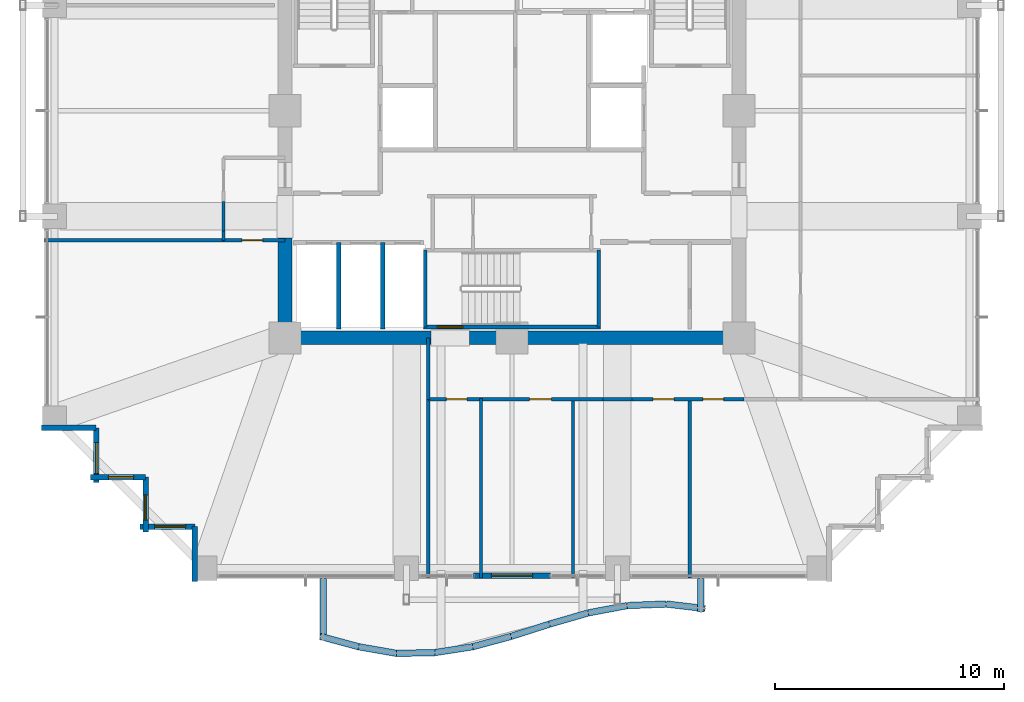
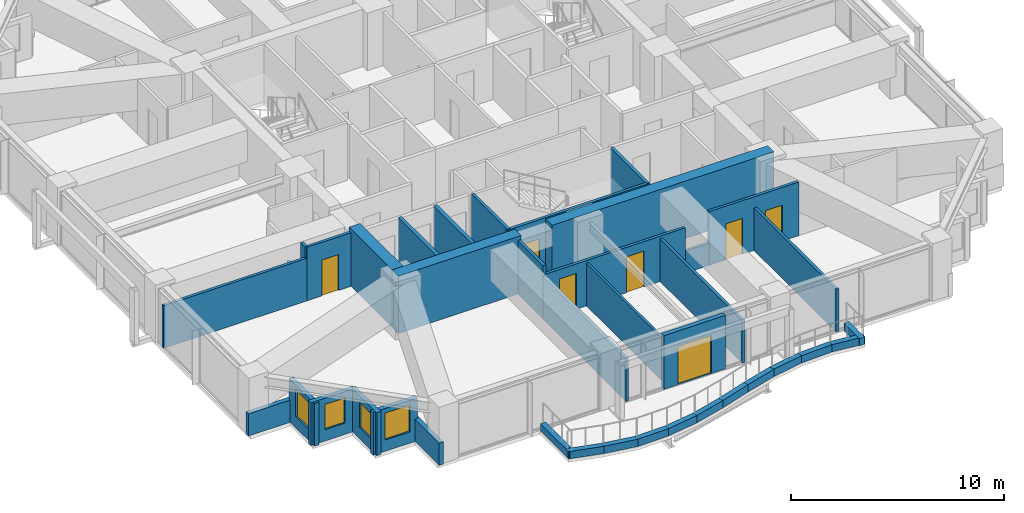
# One storey, part 33 of 39: 39 walls, 7 doors, 4 windows, 11 openings.
"""IFC4 building model written with IfcOpenShell, lengths in metres."""

import ifcopenshell
import ifcopenshell.guid

model = None  # the IFC model being written
_history = None  # IfcOwnerHistory: only IFC2X3 demands one
_inside = {}  # id of a spatial element -> (the spatial element, [elements in it])
_under = {}  # id of a project, library or spatial element -> (it, [spatial elements below it])
_declared = {}  # id of a project -> (the project, [libraries it declares])
_typed = {}  # id of a type object -> (the type object, [elements of that type])
_made_of = {}  # id of a material, layer set ... -> (it, [elements and type objects made of it])


def new_model(schema):
    """Start an empty IFC model of exactly this schema.

    Asked for "IFC4X3", IfcOpenShell would pick the latest addendum, in which some entities
    have other attributes; the version numbers below select the first issue.
    IFC2X3 requires an IfcOwnerHistory on every rooted entity: one is made here for all.
    """
    global model, _history
    if schema == "IFC4X3":
        model = ifcopenshell.file(schema_version=(4, 3, 0, 0))
    else:
        model = ifcopenshell.file(schema=schema)
    _inside.clear()
    _under.clear()
    _declared.clear()
    _typed.clear()
    _made_of.clear()
    _history = None
    if model.schema == "IFC2X3":
        org = make("IfcOrganization", Name="unknown")
        user = make(
            "IfcPersonAndOrganization",
            ThePerson=make("IfcPerson", FamilyName="unknown"),
            TheOrganization=org,
        )
        app = make(
            "IfcApplication",
            ApplicationDeveloper=org,
            Version="unknown",
            ApplicationFullName="unknown",
            ApplicationIdentifier="unknown",
        )
        _history = make(
            "IfcOwnerHistory",
            OwningUser=user,
            OwningApplication=app,
            ChangeAction="ADDED",
            CreationDate=0,
        )
    return model


def make(cls, **values):
    """One entity of the class cls with the attributes given. An attribute that is None is left unset."""
    return model.create_entity(
        cls, **{name: value for name, value in values.items() if value is not None}
    )


def rooted(cls, **values):
    """An entity with a GlobalId (a new one), such as an element, a storey or a relation."""
    return make(cls, GlobalId=ifcopenshell.guid.new(), OwnerHistory=_history, **values)


def si_unit(unit_type, name, prefix=None):
    """IfcSIUnit, for example si_unit("LENGTHUNIT", "METRE", prefix="MILLI")."""
    return make("IfcSIUnit", UnitType=unit_type, Prefix=prefix, Name=name)


def assignment(units):
    """IfcUnitAssignment: the units of a project."""
    return None if units is None else make("IfcUnitAssignment", Units=units)


def point(xyz):
    """IfcCartesianPoint."""
    return None if xyz is None else make("IfcCartesianPoint", Coordinates=xyz)


def direction(xyz):
    """IfcDirection."""
    return None if xyz is None else make("IfcDirection", DirectionRatios=xyz)


def frame(location, z_axis=None, x_axis=None):
    """IfcAxis2Placement3D, a coordinate frame: its origin and axes. An axis left out is left unset."""
    return make(
        "IfcAxis2Placement3D",
        Location=point(location),
        Axis=direction(z_axis),
        RefDirection=direction(x_axis),
    )


def frame_2d(location, x_axis=None):
    """IfcAxis2Placement2D, a coordinate frame in the plane: its origin and x axis."""
    return make(
        "IfcAxis2Placement2D", Location=point(location), RefDirection=direction(x_axis)
    )


def origin():
    """The frame at (0, 0, 0) with its axes left unset."""
    return frame((0.0, 0.0, 0.0))


def place(relative_to, where):
    """IfcLocalPlacement: puts the frame where relative to a parent placement (None: the world)."""
    return make(
        "IfcLocalPlacement", PlacementRelTo=relative_to, RelativePlacement=where
    )


def context(
    kind, dimensions, precision=None, world=None, true_north=None, identifier=None
):
    """IfcGeometricRepresentationContext, for example the 3D "Model" context."""
    return make(
        "IfcGeometricRepresentationContext",
        ContextIdentifier=identifier,
        ContextType=kind,
        CoordinateSpaceDimension=dimensions,
        Precision=precision,
        WorldCoordinateSystem=world,
        TrueNorth=true_north,
    )


def subcontext(parent, identifier, kind, view, scale=None):
    """IfcGeometricRepresentationSubContext, for example "Body" below "Model"."""
    return make(
        "IfcGeometricRepresentationSubContext",
        ContextIdentifier=identifier,
        ContextType=kind,
        ParentContext=parent,
        TargetScale=scale,
        TargetView=view,
    )


def project(units=None, contexts=None):
    """IfcProject with its units and contexts."""
    return rooted(
        "IfcProject",
        Name="project",
        RepresentationContexts=contexts,
        UnitsInContext=assignment(units),
    )


def spatial(cls, under=None, at=None, **own):
    """A site, building, storey or space (cls), placed at a placement, below another one or the project."""
    s = rooted(cls, ObjectPlacement=at, **own)
    if under is not None:
        _under.setdefault(under.id(), (under, []))[1].append(s)
    return s


def profile(cls, at=None, kind="AREA", **sizes):
    """A parametric profile (cls). Its sizes go by their IFC names, for example OverallWidth=200.0."""
    return make(cls, ProfileType=kind, Position=at, **sizes)


def rectangle(**sizes):
    """IfcRectangleProfileDef."""
    return profile("IfcRectangleProfileDef", **sizes)


def extrude(swept, where, along, depth):
    """IfcExtrudedAreaSolid: the profile swept, set in the frame where, extruded along a direction by depth."""
    return make(
        "IfcExtrudedAreaSolid",
        SweptArea=swept,
        Position=where,
        ExtrudedDirection=direction(along),
        Depth=depth,
    )


def shape(context_of_items, identifier, shape_type, items):
    """IfcShapeRepresentation: the items that make up one representation, for example the "Body"."""
    return make(
        "IfcShapeRepresentation",
        ContextOfItems=context_of_items,
        RepresentationIdentifier=identifier,
        RepresentationType=shape_type,
        Items=items,
    )


def material(Name=None, Category=None):
    """IfcMaterial."""
    return make("IfcMaterial", Name=Name, Category=Category)


def layer(
    of_material, thickness, ventilated=None, Name=None, Category=None, Priority=None
):
    """IfcMaterialLayer: one layer of a wall or slab, of a material (None: an air gap)."""
    return make(
        "IfcMaterialLayer",
        Material=of_material,
        LayerThickness=thickness,
        IsVentilated=ventilated,
        Name=Name,
        Category=Category,
        Priority=Priority,
    )


def layer_set(layers, Name=None):
    """IfcMaterialLayerSet."""
    return make("IfcMaterialLayerSet", MaterialLayers=layers, LayerSetName=Name)


def made_of(thing, what):
    """Note that an element or type object is made of a material, layer set ...; save() writes the relation."""
    if what is not None:
        _made_of.setdefault(what.id(), (what, []))[1].append(thing)
    return thing


def type_object(cls, material=None, **own):
    """A type object (cls), such as IfcWallType, which elements share."""
    return made_of(rooted(cls, **own), material)


def element(
    cls,
    number,
    at=None,
    inside=None,
    cuts=None,
    type_object=None,
    material=None,
    context=None,
    identifier="Body",
    shape_type=None,
    held_by="IfcProductDefinitionShape",
    body=None,
    shapes=None,
    **own,
):
    """One element of the class cls, such as IfcWall. Its Tag is "e" and its number.

    at: its placement. inside: the storey or other place that contains it. cuts: it is an
    opening in that element (IfcRelVoidsElement). A single representation is given by context,
    identifier, shape_type and body (its items); several are given by shapes. held_by: the class
    of the entity that holds the representations. save() writes the other relations.
    """
    e = rooted(cls, Tag="e%d" % number, ObjectPlacement=at, **own)
    if body is not None:
        shapes = [shape(context, identifier, shape_type, body)]
    if shapes is not None:
        e.Representation = make(held_by, Representations=shapes)
    if inside is not None:
        _inside.setdefault(inside.id(), (inside, []))[1].append(e)
    if cuts is not None:
        rooted(
            "IfcRelVoidsElement", RelatingBuildingElement=cuts, RelatedOpeningElement=e
        )
    if type_object is not None:
        _typed.setdefault(type_object.id(), (type_object, []))[1].append(e)
    return made_of(e, material)


def fill(opening, filler):
    """IfcRelFillsElement: the door or window that sits in an opening."""
    return rooted(
        "IfcRelFillsElement",
        RelatingOpeningElement=opening,
        RelatedBuildingElement=filler,
    )


def aggregate(whole, parts):
    """IfcRelAggregates: a whole, such as a stair, and the parts it consists of."""
    return rooted("IfcRelAggregates", RelatingObject=whole, RelatedObjects=parts)


def save(model, path):
    """Write the relations noted so far, then the file.

    IfcRelAggregates (storeys below a building ...), IfcRelContainedInSpatialStructure (elements
    in a storey), IfcRelDefinesByType, IfcRelAssociatesMaterial and IfcRelDeclares: one each for
    every whole, place, type object, material and project.
    """
    for whole, parts in _under.values():
        aggregate(whole, parts)
    for where, things in _inside.values():
        rooted(
            "IfcRelContainedInSpatialStructure",
            RelatedElements=things,
            RelatingStructure=where,
        )
    for kind, things in _typed.values():
        rooted("IfcRelDefinesByType", RelatedObjects=things, RelatingType=kind)
    for what, things in _made_of.values():
        rooted("IfcRelAssociatesMaterial", RelatedObjects=things, RelatingMaterial=what)
    for by, libraries in _declared.values():
        rooted("IfcRelDeclares", RelatingContext=by, RelatedDefinitions=libraries)
    model.write(path)


model = new_model("IFC4")

# Units and contexts
model_context = context("Model", 3, precision=1e-05, world=origin(), true_north=direction((0.0, 1.0)))
body_context = subcontext(model_context, "Body", "Model", "MODEL_VIEW")
ifc_project = project(units=[si_unit("LENGTHUNIT", "METRE"), si_unit("AREAUNIT", "SQUARE_METRE"), si_unit("VOLUMEUNIT", "CUBIC_METRE"), si_unit("PLANEANGLEUNIT", "RADIAN"), si_unit("MASSUNIT", "GRAM", prefix="KILO")], contexts=[model_context])

# Site, building, storey
site_placement = place(None, origin())
site = spatial("IfcSite", under=ifc_project, at=site_placement, CompositionType="ELEMENT")
building_placement = place(site_placement, origin())
building = spatial("IfcBuilding", under=site, at=building_placement, Name="Kolvaren Belvedere", CompositionType="ELEMENT")
storey_placement = place(building_placement, frame((0.0, 0.0, 85.39990234375)))
storey = spatial("IfcBuildingStorey", under=building, at=storey_placement, Name="L24", CompositionType="ELEMENT", Elevation=85.39990234375)

# Walls
ifc_material_1 = material(Name="Concrete C60/75", Category="concrete")
ifc_layer_1 = layer(ifc_material_1, 0.60009765625)
ifc_layer_set_1 = layer_set([ifc_layer_1], Name="Concrete C60/75")
wall_type_1 = type_object("IfcWallType", Name="CW-CORE-600", PredefinedType="SHEAR", material=ifc_layer_set_1)
wall_1_placement = place(storey_placement, frame((10.199951171875, -9.89990234375, 0.0), z_axis=(0.0, 0.0, 1.0), x_axis=(-1.0, 0.0, 0.0)))
element("IfcWall", 1, at=wall_1_placement, inside=storey, type_object=wall_type_1, Name="L24 South Core Shear Wall 1", PredefinedType="SHEAR", context=body_context, shape_type="SweptSolid", body=[
    extrude(rectangle(XDim=12.06005859375, YDim=0.60009765625, at=frame_2d((6.030029296875, 0.0))), origin(), (0.0, 0.0, 1.0), 3.300048828125),
])
wall_2_placement = place(storey_placement, frame((-3.5400390625, -9.89990234375, 0.0), z_axis=(0.0, 0.0, 1.0), x_axis=(-1.0, 0.0, 0.0)))
element("IfcWall", 2, at=wall_2_placement, inside=storey, type_object=wall_type_1, Name="L24 South Core Shear Wall 2", PredefinedType="SHEAR", context=body_context, shape_type="SweptSolid", body=[
    extrude(rectangle(XDim=6.659912109375, YDim=0.60009765625, at=frame_2d((3.330078125, 0.0))), origin(), (0.0, 0.0, 1.0), 3.300048828125),
])
wall_3_placement = place(storey_placement, frame((-9.89990234375, -9.60009765625, 0.0), z_axis=(0.0, 0.0, 1.0), x_axis=(0.0, 1.0, 0.0)))
element("IfcWall", 3, at=wall_3_placement, inside=storey, type_object=wall_type_1, Name="L24 West Core Shear Wall 1", PredefinedType="SHEAR", context=body_context, shape_type="SweptSolid", body=[
    extrude(rectangle(XDim=4.050048828125, YDim=0.60009765625, at=frame_2d((2.02490234375, 0.0))), origin(), (0.0, 0.0, 1.0), 3.300048828125),
])

# Wall, opening, door
ifc_material_2 = material(Name="Concrete C50/60", Category="concrete")
ifc_layer_2 = layer(ifc_material_2, 0.159912109375)
ifc_layer_set_2 = layer_set([ifc_layer_2], Name="Concrete C50/60")
wall_type_2 = type_object("IfcWallType", Name="CW-STAIR-160", PredefinedType="SHEAR", material=ifc_layer_set_2)
wall_4_placement = place(storey_placement, frame((3.860107421875, -9.429931640625, 0.0), z_axis=(0.0, 0.0, 1.0), x_axis=(-1.0, 0.0, 0.0)))
wall_4 = element("IfcWall", 4, at=wall_4_placement, inside=storey, type_object=wall_type_2, Name="L24 Stair ST-3 South Shear Wall", PredefinedType="SHEAR", context=body_context, shape_type="SweptSolid", body=[
    extrude(rectangle(XDim=7.72021484375, YDim=0.159912109375, at=frame_2d((3.860107421875, 0.0))), origin(), (0.0, 0.0, 1.0), 3.300048828125),
])
opening_1_placement = place(wall_4_placement, frame((6.010009765625, 0.0, 0.0)))
opening_1 = element("IfcOpeningElement", 5, at=opening_1_placement, cuts=wall_4, Name="Opening D-FD90", PredefinedType="OPENING", context=body_context, shape_type="SweptSolid", body=[
    extrude(rectangle(XDim=1.10009765625, YDim=2.199951171875, at=frame_2d((0.550048828125, 1.10009765625))), frame((0.0, 0.08984375, 0.0), z_axis=(0.0, -1.0, 0.0), x_axis=(1.0, 0.0, 0.0)), (0.0, 0.0, 1.0), 0.179931640625),
])
ifc_material_3 = material(Name="Painted hollow stainless steel", Category="steel")
door_type_1 = type_object("IfcDoorType", Name="DR-FD90-1100", OperationType="NOTDEFINED", PredefinedType="DOOR", material=ifc_material_3)
door_1_placement = place(opening_1_placement, origin())
door_1 = element("IfcDoor", 6, at=door_1_placement, inside=storey, type_object=door_type_1, Name="L24 Stair ST-3 Exit Door", OperationType="SINGLE_SWING_RIGHT", OverallHeight=2.199951171875, OverallWidth=1.10009765625, PredefinedType="DOOR", context=body_context, shape_type="SweptSolid", body=[
    extrude(rectangle(XDim=1.10009765625, YDim=2.199951171875, at=frame_2d((0.550048828125, 1.10009765625))), frame((0.0, 0.02490234375, 0.0), z_axis=(0.0, -1.0, 0.0), x_axis=(1.0, 0.0, 0.0)), (0.0, 0.0, 1.0), 0.050048828125),
])
fill(opening_1, door_1)

# Walls
for number, where, z_axis, x_axis, name in (
    (7, (-3.780029296875, -9.429931640625, 0.0), (0.0, 0.0, 1.0), (0.0, 1.0, 0.0), "L24 Stair ST-3 West Shear Wall"),
    (8, (3.780029296875, -9.429931640625, 0.0), (0.0, 0.0, 1.0), (0.0, 1.0, 0.0), "L24 Stair ST-3 East Shear Wall"),
):
    element("IfcWall", number, at=place(storey_placement, frame(where, z_axis=z_axis, x_axis=x_axis)), inside=storey, type_object=wall_type_2, Name=name, PredefinedType="SHEAR", context=body_context, shape_type="SweptSolid", body=[
        extrude(rectangle(XDim=3.349853515625, YDim=0.159912109375, at=frame_2d((1.6748046875, 0.0))), origin(), (0.0, 0.0, 1.0), 3.300048828125),
    ])

# Wall, openings, doors
ifc_material_4 = material(Name="Gypsum fire-rated partition assembly", Category="gypsum")
ifc_layer_3 = layer(ifc_material_4, 0.14990234375)
ifc_layer_set_3 = layer_set([ifc_layer_3], Name="Gypsum fire-rated partition assembly")
wall_type_3 = type_object("IfcWallType", Name="WL-CORR-150", PredefinedType="PARTITIONING", material=ifc_layer_set_3)
wall_5_placement = place(storey_placement, frame((-3.64990234375, -12.580078125, 0.0), z_axis=(0.0, 0.0, 1.0), x_axis=(1.0, 0.0, 0.0)))
wall_5 = element("IfcWall", 9, at=wall_5_placement, inside=storey, type_object=wall_type_3, Name="L24 South-East Corridor Wall", PredefinedType="PARTITIONING", context=body_context, shape_type="SweptSolid", body=[
    extrude(rectangle(XDim=7.60791015625, YDim=0.14990234375, at=frame_2d((3.803955078125, 0.0))), origin(), (0.0, 0.0, 1.0), 2.60498046875),
])
opening_2_placement = place(wall_5_placement, frame((0.783935546875, 0.0, 0.0)))
opening_2 = element("IfcOpeningElement", 10, at=opening_2_placement, cuts=wall_5, Name="Opening D-INT90", PredefinedType="OPENING", context=body_context, shape_type="SweptSolid", body=[
    extrude(rectangle(XDim=0.89990234375, YDim=2.06005859375, at=frame_2d((0.449951171875, 1.030029296875))), frame((0.0, 0.0849609375, 0.0), z_axis=(0.0, -1.0, 0.0), x_axis=(1.0, 0.0, 0.0)), (0.0, 0.0, 1.0), 0.169921875),
])
opening_3_placement = place(wall_5_placement, frame((4.417724609375, 0.0, 0.0)))
opening_3 = element("IfcOpeningElement", 11, at=opening_3_placement, cuts=wall_5, Name="Opening D-INT95", PredefinedType="OPENING", context=body_context, shape_type="SweptSolid", body=[
    extrude(rectangle(XDim=0.949951171875, YDim=2.06005859375, at=frame_2d((0.47509765625, 1.030029296875))), frame((0.0, 0.0849609375, 0.0), z_axis=(0.0, -1.0, 0.0), x_axis=(1.0, 0.0, 0.0)), (0.0, 0.0, 1.0), 0.169921875),
])
ifc_material_5 = material(Name="Stained Pacific white oak", Category="timber")
door_type_2 = type_object("IfcDoorType", Name="DR-INT-900", OperationType="NOTDEFINED", PredefinedType="DOOR", material=ifc_material_5)
door_2_placement = place(opening_2_placement, origin())
door_2 = element("IfcDoor", 12, at=door_2_placement, inside=storey, type_object=door_type_2, Name="L24 Housekeeping Door", OperationType="SINGLE_SWING_RIGHT", OverallHeight=2.06005859375, OverallWidth=0.89990234375, PredefinedType="DOOR", context=body_context, shape_type="SweptSolid", body=[
    extrude(rectangle(XDim=0.89990234375, YDim=2.06005859375, at=frame_2d((0.449951171875, 1.030029296875))), frame((0.0, 0.02490234375, 0.0), z_axis=(0.0, -1.0, 0.0), x_axis=(1.0, 0.0, 0.0)), (0.0, 0.0, 1.0), 0.050048828125),
])
fill(opening_2, door_2)
ifc_material_6 = material(Name="Stained Pacific white oak", Category="timber")
door_type_3 = type_object("IfcDoorType", Name="DR-INT-950", OperationType="NOTDEFINED", PredefinedType="DOOR", material=ifc_material_6)
door_3_placement = place(opening_3_placement, origin())
door_3 = element("IfcDoor", 13, at=door_3_placement, inside=storey, type_object=door_type_3, Name="L24 Accessible Washroom Door", OperationType="SINGLE_SWING_LEFT", OverallHeight=2.06005859375, OverallWidth=0.949951171875, PredefinedType="DOOR", context=body_context, shape_type="SweptSolid", body=[
    extrude(rectangle(XDim=0.949951171875, YDim=2.06005859375, at=frame_2d((0.47509765625, 1.030029296875))), frame((0.0, 0.02490234375, 0.0), z_axis=(0.0, -1.0, 0.0), x_axis=(1.0, 0.0, 0.0)), (0.0, 0.0, 1.0), 0.050048828125),
])
fill(opening_3, door_3)

# Wall
wall_6_placement = place(storey_placement, frame((3.9580078125, -12.580078125, 0.0), z_axis=(0.0, 0.0, 1.0), x_axis=(1.0, 0.0, 0.0)))
element("IfcWall", 14, at=wall_6_placement, inside=storey, type_object=wall_type_3, Name="L24 South-East Corridor Wall", PredefinedType="PARTITIONING", context=body_context, shape_type="SweptSolid", body=[
    extrude(rectangle(XDim=1.283935546875, YDim=0.14990234375, at=frame_2d((0.64208984375, 0.0))), origin(), (0.0, 0.0, 1.0), 1.26513671875),
])

# Wall, openings, doors
wall_7_placement = place(storey_placement, frame((5.241943359375, -12.580078125, 0.0), z_axis=(0.0, 0.0, 1.0), x_axis=(1.0, 0.0, 0.0)))
wall_7 = element("IfcWall", 15, at=wall_7_placement, inside=storey, type_object=wall_type_3, Name="L24 South-East Corridor Wall", PredefinedType="PARTITIONING", context=body_context, shape_type="SweptSolid", body=[
    extrude(rectangle(XDim=4.883056640625, YDim=0.14990234375, at=frame_2d((2.44140625, 0.0))), origin(), (0.0, 0.0, 1.0), 3.080078125),
])
opening_4_placement = place(wall_7_placement, frame((0.915771484375, 0.0, 0.0)))
opening_4 = element("IfcOpeningElement", 16, at=opening_4_placement, cuts=wall_7, Name="Opening D-INT90", PredefinedType="OPENING", context=body_context, shape_type="SweptSolid", body=[
    extrude(rectangle(XDim=0.89990234375, YDim=2.06005859375, at=frame_2d((0.449951171875, 1.030029296875))), frame((0.0, 0.0849609375, 0.0), z_axis=(0.0, -1.0, 0.0), x_axis=(1.0, 0.0, 0.0)), (0.0, 0.0, 1.0), 0.169921875),
])
opening_5_placement = place(wall_7_placement, frame((3.08154296875, 0.0, 0.0)))
opening_5 = element("IfcOpeningElement", 17, at=opening_5_placement, cuts=wall_7, Name="Opening D-INT90", PredefinedType="OPENING", context=body_context, shape_type="SweptSolid", body=[
    extrude(rectangle(XDim=0.89990234375, YDim=2.06005859375, at=frame_2d((0.449951171875, 1.030029296875))), frame((0.0, 0.0849609375, 0.0), z_axis=(0.0, -1.0, 0.0), x_axis=(1.0, 0.0, 0.0)), (0.0, 0.0, 1.0), 0.169921875),
])
door_4_placement = place(opening_4_placement, origin())
door_4 = element("IfcDoor", 18, at=door_4_placement, inside=storey, type_object=door_type_2, Name="L24 Lounge 2410 Door", OperationType="SINGLE_SWING_RIGHT", OverallHeight=2.06005859375, OverallWidth=0.89990234375, PredefinedType="DOOR", context=body_context, shape_type="SweptSolid", body=[
    extrude(rectangle(XDim=0.89990234375, YDim=2.06005859375, at=frame_2d((0.449951171875, 1.030029296875))), frame((0.0, 0.02490234375, 0.0), z_axis=(0.0, -1.0, 0.0), x_axis=(1.0, 0.0, 0.0)), (0.0, 0.0, 1.0), 0.050048828125),
])
fill(opening_4, door_4)
door_5_placement = place(opening_5_placement, origin())
door_5 = element("IfcDoor", 19, at=door_5_placement, inside=storey, type_object=door_type_2, Name="L24 Lounge 2411 Door", OperationType="SINGLE_SWING_LEFT", OverallHeight=2.06005859375, OverallWidth=0.89990234375, PredefinedType="DOOR", context=body_context, shape_type="SweptSolid", body=[
    extrude(rectangle(XDim=0.89990234375, YDim=2.06005859375, at=frame_2d((0.449951171875, 1.030029296875))), frame((0.0, 0.02490234375, 0.0), z_axis=(0.0, -1.0, 0.0), x_axis=(1.0, 0.0, 0.0)), (0.0, 0.0, 1.0), 0.050048828125),
])
fill(opening_5, door_5)

# Walls
wall_8_placement = place(storey_placement, frame((-3.64990234375, -12.580078125, 0.0), z_axis=(0.0, 0.0, 1.0), x_axis=(0.0, 1.0, 0.0)))
element("IfcWall", 20, at=wall_8_placement, inside=storey, type_object=wall_type_3, Name="L24 South Spur West Closure Wall", PredefinedType="PARTITIONING", context=body_context, shape_type="SweptSolid", body=[
    extrude(rectangle(XDim=2.68017578125, YDim=0.14990234375, at=frame_2d((1.340087890625, 0.0))), origin(), (0.0, 0.0, 1.0), 3.080078125),
])
wall_9_placement = place(storey_placement, frame((-12.580078125, -5.64990234375, 0.0), z_axis=(0.0, 0.0, 1.0), x_axis=(0.0, 1.0, 0.0)))
element("IfcWall", 21, at=wall_9_placement, inside=storey, type_object=wall_type_3, Name="L24 West FSAE Pocket Wall", PredefinedType="PARTITIONING", context=body_context, shape_type="SweptSolid", body=[
    extrude(rectangle(XDim=0.407958984375, YDim=0.14990234375, at=frame_2d((0.2041015625, 0.0))), origin(), (0.0, 0.0, 1.0), 3.080078125),
])
wall_10_placement = place(storey_placement, frame((-12.580078125, -5.241943359375, 0.0), z_axis=(0.0, 0.0, 1.0), x_axis=(0.0, 1.0, 0.0)))
element("IfcWall", 22, at=wall_10_placement, inside=storey, type_object=wall_type_3, Name="L24 West FSAE Pocket Wall", PredefinedType="PARTITIONING", context=body_context, shape_type="SweptSolid", body=[
    extrude(rectangle(XDim=1.283935546875, YDim=0.14990234375, at=frame_2d((0.64208984375, 0.0))), origin(), (0.0, 0.0, 1.0), 1.26513671875),
])

# Wall, opening, door
wall_11_placement = place(storey_placement, frame((-12.580078125, -5.64990234375, 0.0), z_axis=(0.0, 0.0, 1.0), x_axis=(1.0, 0.0, 0.0)))
wall_11 = element("IfcWall", 23, at=wall_11_placement, inside=storey, type_object=wall_type_3, Name="L24 West Pocket South Closure Wall", PredefinedType="PARTITIONING", context=body_context, shape_type="SweptSolid", body=[
    extrude(rectangle(XDim=2.68017578125, YDim=0.14990234375, at=frame_2d((1.340087890625, 0.0))), origin(), (0.0, 0.0, 1.0), 3.080078125),
])
opening_6_placement = place(wall_11_placement, frame((0.80615234375, 0.0, 0.0)))
opening_6 = element("IfcOpeningElement", 24, at=opening_6_placement, cuts=wall_11, Name="Opening D-INT90", PredefinedType="OPENING", context=body_context, shape_type="SweptSolid", body=[
    extrude(rectangle(XDim=0.89990234375, YDim=2.06005859375, at=frame_2d((0.449951171875, 1.030029296875))), frame((0.0, 0.0849609375, 0.0), z_axis=(0.0, -1.0, 0.0), x_axis=(1.0, 0.0, 0.0)), (0.0, 0.0, 1.0), 0.169921875),
])
door_6_placement = place(opening_6_placement, origin())
door_6 = element("IfcDoor", 25, at=door_6_placement, inside=storey, type_object=door_type_2, Name="L24 Lounge 2409 Door", OperationType="SINGLE_SWING_LEFT", OverallHeight=2.06005859375, OverallWidth=0.89990234375, PredefinedType="DOOR", context=body_context, shape_type="SweptSolid", body=[
    extrude(rectangle(XDim=0.89990234375, YDim=2.06005859375, at=frame_2d((0.449951171875, 1.030029296875))), frame((0.0, 0.02490234375, 0.0), z_axis=(0.0, -1.0, 0.0), x_axis=(1.0, 0.0, 0.0)), (0.0, 0.0, 1.0), 0.050048828125),
])
fill(opening_6, door_6)

ifc_material_7 = material(Name="Insulated pale-metal facade wall assembly", Category="aluminium")
ifc_layer_4 = layer(ifc_material_7, 0.239990234375)
ifc_layer_set_4 = layer_set([ifc_layer_4], Name="Insulated pale-metal facade wall assembly")
wall_type_4 = type_object("IfcWallType", Name="WL-EXT-240", PredefinedType="STANDARD", material=ifc_layer_set_4)
wall_12_placement = place(storey_placement, frame((1.679931640625, -20.280029296875, 0.0), z_axis=(0.0, 0.0, 1.0), x_axis=(-1.0, 0.0, 0.0)))
wall_12 = element("IfcWall", 26, at=wall_12_placement, inside=storey, type_object=wall_type_4, Name="L24 South Terrace Portal Wall", PredefinedType="STANDARD", context=body_context, shape_type="SweptSolid", body=[
    extrude(rectangle(XDim=3.35986328125, YDim=0.239990234375, at=frame_2d((1.679931640625, 0.0))), origin(), (0.0, 0.0, 1.0), 3.080078125),
])
opening_7_placement = place(wall_12_placement, frame((0.780029296875, 0.0, 0.0)))
opening_7 = element("IfcOpeningElement", 27, at=opening_7_placement, cuts=wall_12, Name="Opening DB-1800", PredefinedType="OPENING", context=body_context, shape_type="SweptSolid", body=[
    extrude(rectangle(XDim=1.800048828125, YDim=2.199951171875, at=frame_2d((0.89990234375, 1.10009765625))), frame((0.0, 0.1298828125, 0.0), z_axis=(0.0, -1.0, 0.0), x_axis=(1.0, 0.0, 0.0)), (0.0, 0.0, 1.0), 0.260009765625),
])
ifc_material_8 = material(Name="Thermally broken pale-metal aluminium & low-iron glass", Category="aluminium")
door_type_4 = type_object("IfcDoorType", Name="DR-BAL-1800", OperationType="DOUBLE_DOOR_SLIDING", PredefinedType="DOOR", material=ifc_material_8)
door_7_placement = place(opening_7_placement, origin())
door_7 = element("IfcDoor", 28, at=door_7_placement, inside=storey, type_object=door_type_4, Name="L24 South Planted Terrace Sliding Door", OperationType="DOUBLE_DOOR_SLIDING", OverallHeight=2.199951171875, OverallWidth=1.800048828125, PredefinedType="DOOR", context=body_context, shape_type="SweptSolid", body=[
    extrude(rectangle(XDim=1.800048828125, YDim=2.199951171875, at=frame_2d((0.89990234375, 1.10009765625))), frame((0.0, 0.02490234375, 0.0), z_axis=(0.0, -1.0, 0.0), x_axis=(1.0, 0.0, 0.0)), (0.0, 0.0, 1.0), 0.050048828125),
])
fill(opening_7, door_7)

# Wall
wall_13_placement = place(storey_placement, frame((-18.1298828125, -13.830078125, 0.0), z_axis=(0.0, 0.0, 1.0), x_axis=(-1.0, 0.0, 0.0)))
element("IfcWall", 29, at=wall_13_placement, inside=storey, type_object=wall_type_4, Name="L24 Serrated Corner Facade Wall 23", PredefinedType="STANDARD", context=body_context, shape_type="SweptSolid", body=[
    extrude(rectangle(XDim=2.39013671875, YDim=0.239990234375, at=frame_2d((1.195068359375, 0.0))), origin(), (0.0, 0.0, 1.0), 1.275146484375),
])

# Wall, opening, window
wall_14_placement = place(storey_placement, frame((-18.1298828125, -16.219970703125, 0.0), z_axis=(0.0, 0.0, 1.0), x_axis=(0.0, 1.0, 0.0)))
wall_14 = element("IfcWall", 30, at=wall_14_placement, inside=storey, type_object=wall_type_4, Name="L24 Serrated Corner Facade Wall 24", PredefinedType="STANDARD", context=body_context, shape_type="SweptSolid", body=[
    extrude(rectangle(XDim=2.389892578125, YDim=0.239990234375, at=frame_2d((1.19482421875, 0.0))), origin(), (0.0, 0.0, 1.0), 2.458984375),
])
opening_8_placement = place(wall_14_placement, frame((0.39990234375, 0.0, 0.64990234375)))
opening_8 = element("IfcOpeningElement", 31, at=opening_8_placement, cuts=wall_14, Name="Opening W-1350", PredefinedType="OPENING", context=body_context, shape_type="SweptSolid", body=[
    extrude(rectangle(XDim=1.35009765625, YDim=1.550048828125, at=frame_2d((0.675048828125, 0.77490234375))), frame((0.0, 0.1298828125, 0.0), z_axis=(0.0, -1.0, 0.0), x_axis=(1.0, 0.0, 0.0)), (0.0, 0.0, 1.0), 0.260009765625),
])
ifc_material_9 = material(Name="Low-iron triple insulated glass", Category="glass")
window_type_1 = type_object("IfcWindowType", Name="WN-CORN-1350", PartitioningType="SINGLE_PANEL", PredefinedType="WINDOW", material=ifc_material_9)
window_1_placement = place(opening_8_placement, origin())
window_1 = element("IfcWindow", 32, at=window_1_placement, inside=storey, type_object=window_type_1, Name="L24 Serrated Corner Vision Window 24", OverallHeight=1.550048828125, OverallWidth=1.35009765625, PartitioningType="SINGLE_PANEL", PredefinedType="WINDOW", context=body_context, shape_type="SweptSolid", body=[
    extrude(rectangle(XDim=1.35009765625, YDim=1.550048828125, at=frame_2d((0.675048828125, 0.77490234375))), frame((0.0, 0.030029296875, 0.0), z_axis=(0.0, -1.0, 0.0), x_axis=(1.0, 0.0, 0.0)), (0.0, 0.0, 1.0), 0.06005859375),
])
fill(opening_8, window_1)

wall_15_placement = place(storey_placement, frame((-15.97998046875, -15.97998046875, 0.0), z_axis=(0.0, 0.0, 1.0), x_axis=(-1.0, 0.0, 0.0)))
wall_15 = element("IfcWall", 33, at=wall_15_placement, inside=storey, type_object=wall_type_4, Name="L24 Serrated Corner Facade Wall 25", PredefinedType="STANDARD", context=body_context, shape_type="SweptSolid", body=[
    extrude(rectangle(XDim=2.39013671875, YDim=0.239990234375, at=frame_2d((1.195068359375, 0.0))), origin(), (0.0, 0.0, 1.0), 2.458984375),
])
opening_9_placement = place(wall_15_placement, frame((0.52490234375, 0.0, 0.64990234375)))
opening_9 = element("IfcOpeningElement", 34, at=opening_9_placement, cuts=wall_15, Name="Opening W-1100", PredefinedType="OPENING", context=body_context, shape_type="SweptSolid", body=[
    extrude(rectangle(XDim=1.10009765625, YDim=1.449951171875, at=frame_2d((0.550048828125, 0.72509765625))), frame((0.0, 0.1298828125, 0.0), z_axis=(0.0, -1.0, 0.0), x_axis=(1.0, 0.0, 0.0)), (0.0, 0.0, 1.0), 0.260009765625),
])
ifc_material_10 = material(Name="Low-iron triple insulated glass", Category="glass")
window_type_2 = type_object("IfcWindowType", Name="WN-CORN-1100", PartitioningType="SINGLE_PANEL", PredefinedType="WINDOW", material=ifc_material_10)
window_2_placement = place(opening_9_placement, origin())
window_2 = element("IfcWindow", 35, at=window_2_placement, inside=storey, type_object=window_type_2, Name="L24 Serrated Corner Vision Window 25", OverallHeight=1.449951171875, OverallWidth=1.10009765625, PartitioningType="SINGLE_PANEL", PredefinedType="WINDOW", context=body_context, shape_type="SweptSolid", body=[
    extrude(rectangle(XDim=1.10009765625, YDim=1.449951171875, at=frame_2d((0.550048828125, 0.72509765625))), frame((0.0, 0.030029296875, 0.0), z_axis=(0.0, -1.0, 0.0), x_axis=(1.0, 0.0, 0.0)), (0.0, 0.0, 1.0), 0.06005859375),
])
fill(opening_9, window_2)

wall_16_placement = place(storey_placement, frame((-15.97998046875, -18.3701171875, 0.0), z_axis=(0.0, 0.0, 1.0), x_axis=(0.0, 1.0, 0.0)))
wall_16 = element("IfcWall", 36, at=wall_16_placement, inside=storey, type_object=wall_type_4, Name="L24 Serrated Corner Facade Wall 26", PredefinedType="STANDARD", context=body_context, shape_type="SweptSolid", body=[
    extrude(rectangle(XDim=2.39013671875, YDim=0.239990234375, at=frame_2d((1.195068359375, 0.0))), origin(), (0.0, 0.0, 1.0), 2.458984375),
])
opening_10_placement = place(wall_16_placement, frame((0.52490234375, 0.0, 0.64990234375)))
opening_10 = element("IfcOpeningElement", 37, at=opening_10_placement, cuts=wall_16, Name="Opening W-1100", PredefinedType="OPENING", context=body_context, shape_type="SweptSolid", body=[
    extrude(rectangle(XDim=1.10009765625, YDim=1.449951171875, at=frame_2d((0.550048828125, 0.72509765625))), frame((0.0, 0.1298828125, 0.0), z_axis=(0.0, -1.0, 0.0), x_axis=(1.0, 0.0, 0.0)), (0.0, 0.0, 1.0), 0.260009765625),
])
window_3_placement = place(opening_10_placement, origin())
window_3 = element("IfcWindow", 38, at=window_3_placement, inside=storey, type_object=window_type_2, Name="L24 Serrated Corner Vision Window 26", OverallHeight=1.449951171875, OverallWidth=1.10009765625, PartitioningType="SINGLE_PANEL", PredefinedType="WINDOW", context=body_context, shape_type="SweptSolid", body=[
    extrude(rectangle(XDim=1.10009765625, YDim=1.449951171875, at=frame_2d((0.550048828125, 0.72509765625))), frame((0.0, 0.030029296875, 0.0), z_axis=(0.0, -1.0, 0.0), x_axis=(1.0, 0.0, 0.0)), (0.0, 0.0, 1.0), 0.06005859375),
])
fill(opening_10, window_3)

wall_17_placement = place(storey_placement, frame((-13.830078125, -18.1298828125, 0.0), z_axis=(0.0, 0.0, 1.0), x_axis=(-1.0, 0.0, 0.0)))
wall_17 = element("IfcWall", 39, at=wall_17_placement, inside=storey, type_object=wall_type_4, Name="L24 Serrated Corner Facade Wall 27", PredefinedType="STANDARD", context=body_context, shape_type="SweptSolid", body=[
    extrude(rectangle(XDim=2.389892578125, YDim=0.239990234375, at=frame_2d((1.19482421875, 0.0))), origin(), (0.0, 0.0, 1.0), 2.458984375),
])
opening_11_placement = place(wall_17_placement, frame((0.39990234375, 0.0, 0.64990234375)))
opening_11 = element("IfcOpeningElement", 40, at=opening_11_placement, cuts=wall_17, Name="Opening W-1350", PredefinedType="OPENING", context=body_context, shape_type="SweptSolid", body=[
    extrude(rectangle(XDim=1.35009765625, YDim=1.550048828125, at=frame_2d((0.675048828125, 0.77490234375))), frame((0.0, 0.1298828125, 0.0), z_axis=(0.0, -1.0, 0.0), x_axis=(1.0, 0.0, 0.0)), (0.0, 0.0, 1.0), 0.260009765625),
])
window_4_placement = place(opening_11_placement, origin())
window_4 = element("IfcWindow", 41, at=window_4_placement, inside=storey, type_object=window_type_1, Name="L24 Serrated Corner Vision Window 27", OverallHeight=1.550048828125, OverallWidth=1.35009765625, PartitioningType="SINGLE_PANEL", PredefinedType="WINDOW", context=body_context, shape_type="SweptSolid", body=[
    extrude(rectangle(XDim=1.35009765625, YDim=1.550048828125, at=frame_2d((0.675048828125, 0.77490234375))), frame((0.0, 0.030029296875, 0.0), z_axis=(0.0, -1.0, 0.0), x_axis=(1.0, 0.0, 0.0)), (0.0, 0.0, 1.0), 0.06005859375),
])
fill(opening_11, window_4)

# Walls
wall_18_placement = place(storey_placement, frame((-13.830078125, -20.52001953125, 0.0), z_axis=(0.0, 0.0, 1.0), x_axis=(0.0, 1.0, 0.0)))
element("IfcWall", 42, at=wall_18_placement, inside=storey, type_object=wall_type_4, Name="L24 Serrated Corner Facade Wall 28", PredefinedType="STANDARD", context=body_context, shape_type="SweptSolid", body=[
    extrude(rectangle(XDim=2.39013671875, YDim=0.239990234375, at=frame_2d((1.195068359375, 0.0))), origin(), (0.0, 0.0, 1.0), 1.275146484375),
])
ifc_material_11 = material(Name="Gypsum acoustic partition assembly", Category="gypsum")
ifc_layer_5 = layer(ifc_material_11, 0.14990234375)
ifc_layer_set_5 = layer_set([ifc_layer_5], Name="Gypsum acoustic partition assembly")
wall_type_5 = type_object("IfcWallType", Name="WL-PART-150", PredefinedType="PARTITIONING", material=ifc_layer_set_5)
for number, where, z_axis, x_axis, name in (
    (43, (-20.3798828125, -5.64990234375, 0.0), (0.0, 0.0, 1.0), (1.0, 0.0, 0.0), "L24 West Mid Suite South Wall"),
    (44, (-3.64990234375, -20.3798828125, 0.0), (0.0, 0.0, 1.0), (0.0, 1.0, 0.0), "L24 South Mid-West Wall"),
    (45, (2.659912109375, -20.3798828125, 0.0), (0.0, 0.0, 1.0), (0.0, 1.0, 0.0), "L24 South-East Suite Divider 1"),
    (46, (7.760009765625, -20.3798828125, 0.0), (0.0, 0.0, 1.0), (0.0, 1.0, 0.0), "L24 South-East Suite Divider 2"),
):
    element("IfcWall", number, at=place(storey_placement, frame(where, z_axis=z_axis, x_axis=x_axis)), inside=storey, type_object=wall_type_5, Name=name, PredefinedType="PARTITIONING", context=body_context, shape_type="SweptSolid", body=[
        extrude(rectangle(XDim=7.7998046875, YDim=0.14990234375, at=frame_2d((3.89990234375, 0.0))), origin(), (0.0, 0.0, 1.0), 2.44921875),
    ])
ifc_material_12 = material(Name="Precast concrete C40/50", Category="concrete")
ifc_layer_6 = layer(ifc_material_12, 0.300048828125)
ifc_layer_set_6 = layer_set([ifc_layer_6], Name="Precast concrete C40/50")
wall_type_6 = type_object("IfcWallType", Name="WL-PLANTER-300", PredefinedType="PARAPET", material=ifc_layer_set_6)
wall_19_placement = place(storey_placement, frame((-8.3583984375, -22.919189453125, -0.039794921875), z_axis=(0.0, 0.0, 1.0), x_axis=(0.965434024814, -0.260647546949, 0.0)))
element("IfcWall", 47, at=wall_19_placement, inside=storey, type_object=wall_type_6, Name="L24 Precast Structural Planter Wall BAL-S-1", PredefinedType="PARAPET", context=body_context, shape_type="SweptSolid", body=[
    extrude(rectangle(XDim=1.740234375, YDim=0.280029296875, at=frame_2d((0.8701171875, 0.0))), origin(), (0.0, 0.0, 1.0), 0.419921875),
])
wall_20_placement = place(storey_placement, frame((-6.6923828125, -23.36962890625, -0.039794921875), z_axis=(0.0, 0.0, 1.0), x_axis=(0.985156010777, -0.171661394699, 0.0)))
element("IfcWall", 48, at=wall_20_placement, inside=storey, type_object=wall_type_6, Name="L24 Precast Structural Planter Wall BAL-S-2", PredefinedType="PARAPET", context=body_context, shape_type="SweptSolid", body=[
    extrude(rectangle(XDim=1.705322265625, YDim=0.280029296875, at=frame_2d((0.8525390625, 0.0))), origin(), (0.0, 0.0, 1.0), 0.419921875),
])
wall_21_placement = place(storey_placement, frame((-5.043212890625, -23.659912109375, -0.039794921875), z_axis=(0.0, 0.0, 1.0), x_axis=(0.99979895463, 0.020051192521, 0.0)))
element("IfcWall", 49, at=wall_21_placement, inside=storey, type_object=wall_type_6, Name="L24 Precast Structural Planter Wall BAL-S-3", PredefinedType="PARAPET", context=body_context, shape_type="SweptSolid", body=[
    extrude(rectangle(XDim=1.68017578125, YDim=0.280029296875, at=frame_2d((0.840087890625, 0.0))), origin(), (0.0, 0.0, 1.0), 0.419921875),
])
wall_22_placement = place(storey_placement, frame((-3.384521484375, -23.6279296875, -0.039794921875), z_axis=(0.0, 0.0, 1.0), x_axis=(0.988345118302, 0.152229849666, 0.0)))
element("IfcWall", 50, at=wall_22_placement, inside=storey, type_object=wall_type_6, Name="L24 Precast Structural Planter Wall BAL-S-4", PredefinedType="PARAPET", context=body_context, shape_type="SweptSolid", body=[
    extrude(rectangle(XDim=1.699951171875, YDim=0.280029296875, at=frame_2d((0.85009765625, 0.0))), origin(), (0.0, 0.0, 1.0), 0.419921875),
])
wall_23_placement = place(storey_placement, frame((-1.7216796875, -23.372802734375, -0.039794921875), z_axis=(0.0, 0.0, 1.0), x_axis=(0.965424492388, 0.260682852326, 0.0)))
element("IfcWall", 51, at=wall_23_placement, inside=storey, type_object=wall_type_6, Name="L24 Precast Structural Planter Wall BAL-S-5", PredefinedType="PARAPET", context=body_context, shape_type="SweptSolid", body=[
    extrude(rectangle(XDim=1.739990234375, YDim=0.280029296875, at=frame_2d((0.8701171875, 0.0))), origin(), (0.0, 0.0, 1.0), 0.419921875),
])
wall_24_placement = place(storey_placement, frame((-0.048583984375, -22.92138671875, -0.039794921875), z_axis=(0.0, 0.0, 1.0), x_axis=(0.952661770826, 0.304032153573, 0.0)))
element("IfcWall", 52, at=wall_24_placement, inside=storey, type_object=wall_type_6, Name="L24 Precast Structural Planter Wall BAL-S-6", PredefinedType="PARAPET", context=body_context, shape_type="SweptSolid", body=[
    extrude(rectangle(XDim=1.763427734375, YDim=0.280029296875, at=frame_2d((0.8818359375, 0.0))), origin(), (0.0, 0.0, 1.0), 0.419921875),
])
wall_25_placement = place(storey_placement, frame((1.635498046875, -22.3837890625, -0.039794921875), z_axis=(0.0, 0.0, 1.0), x_axis=(0.960633903819, 0.277817391164, 0.0)))
element("IfcWall", 53, at=wall_25_placement, inside=storey, type_object=wall_type_6, Name="L24 Precast Structural Planter Wall BAL-S-7", PredefinedType="PARAPET", context=body_context, shape_type="SweptSolid", body=[
    extrude(rectangle(XDim=1.748779296875, YDim=0.280029296875, at=frame_2d((0.87451171875, 0.0))), origin(), (0.0, 0.0, 1.0), 0.419921875),
])
wall_26_placement = place(storey_placement, frame((3.330322265625, -21.894287109375, -0.039794921875), z_axis=(0.0, 0.0, 1.0), x_axis=(0.982804219087, 0.184650661912, 0.0)))
element("IfcWall", 54, at=wall_26_placement, inside=storey, type_object=wall_type_6, Name="L24 Precast Structural Planter Wall BAL-S-8", PredefinedType="PARAPET", context=body_context, shape_type="SweptSolid", body=[
    extrude(rectangle(XDim=1.70947265625, YDim=0.280029296875, at=frame_2d((0.854736328125, 0.0))), origin(), (0.0, 0.0, 1.0), 0.419921875),
])
wall_27_placement = place(storey_placement, frame((5.03369140625, -21.575927734375, -0.039794921875), z_axis=(0.0, 0.0, 1.0), x_axis=(0.999196545286, 0.040078222133, 0.0)))
element("IfcWall", 55, at=wall_27_placement, inside=storey, type_object=wall_type_6, Name="L24 Precast Structural Planter Wall BAL-S-9", PredefinedType="PARAPET", context=body_context, shape_type="SweptSolid", body=[
    extrude(rectangle(XDim=1.681396484375, YDim=0.280029296875, at=frame_2d((0.8408203125, 0.0))), origin(), (0.0, 0.0, 1.0), 0.419921875),
])
wall_28_placement = place(storey_placement, frame((6.73876953125, -21.509521484375, -0.039794921875), z_axis=(0.0, 0.0, 1.0), x_axis=(0.993125952783, -0.11705059551, 0.0)))
element("IfcWall", 56, at=wall_28_placement, inside=storey, type_object=wall_type_6, Name="L24 Precast Structural Planter Wall BAL-S-10", PredefinedType="PARAPET", context=body_context, shape_type="SweptSolid", body=[
    extrude(rectangle(XDim=1.691650390625, YDim=0.280029296875, at=frame_2d((0.845703125, 0.0))), origin(), (0.0, 0.0, 1.0), 0.419921875),
])
wall_29_placement = place(storey_placement, frame((8.239990234375, -21.8662109375, -0.039794921875), z_axis=(0.0, 0.0, 1.0), x_axis=(0.0, 1.0, 0.0)))
element("IfcWall", 57, at=wall_29_placement, inside=storey, type_object=wall_type_6, Name="L24 Precast Structural Planter Wall BAL-S-11", PredefinedType="PARAPET", context=body_context, shape_type="SweptSolid", body=[
    extrude(rectangle(XDim=1.46630859375, YDim=0.280029296875, at=frame_2d((0.733154296875, 0.0))), origin(), (0.0, 0.0, 1.0), 0.419921875),
])
wall_30_placement = place(storey_placement, frame((-8.239990234375, -20.39990234375, -0.039794921875), z_axis=(0.0, 0.0, 1.0), x_axis=(0.0, -1.0, 0.0)))
element("IfcWall", 58, at=wall_30_placement, inside=storey, type_object=wall_type_6, Name="L24 Precast Structural Planter Wall BAL-S-22", PredefinedType="PARAPET", context=body_context, shape_type="SweptSolid", body=[
    extrude(rectangle(XDim=2.673828125, YDim=0.280029296875, at=frame_2d((1.3369140625, 0.0))), origin(), (0.0, 0.0, 1.0), 0.419921875),
])
ifc_material_13 = material(Name="Concrete C50/60", Category="concrete")
ifc_layer_7 = layer(ifc_material_13, 0.199951171875)
ifc_layer_set_7 = layer_set([ifc_layer_7], Name="Concrete C50/60")
wall_type_7 = type_object("IfcWallType", Name="WL-SHAFT-200", PredefinedType="SOLIDWALL", material=ifc_layer_set_7)
for number, where, z_axis, x_axis, name in (
    (59, (-7.56005859375, -9.52001953125, 0.0), (0.0, 0.0, 1.0), (0.0, 1.0, 0.0), "L24 Mid-Rise Hoistway Divider 1"),
    (60, (-5.6298828125, -9.52001953125, 0.0), (0.0, 0.0, 1.0), (0.0, 1.0, 0.0), "L24 Mid-Rise Hoistway Divider 2"),
):
    element("IfcWall", number, at=place(storey_placement, frame(where, z_axis=z_axis, x_axis=x_axis)), inside=storey, type_object=wall_type_7, Name=name, PredefinedType="SOLIDWALL", context=body_context, shape_type="SweptSolid", body=[
        extrude(rectangle(XDim=3.77001953125, YDim=0.199951171875, at=frame_2d((1.885009765625, 0.0))), origin(), (0.0, 0.0, 1.0), 3.080078125),
    ])
ifc_material_14 = material(Name="Moisture-resistant gypsum partition", Category="gypsum")
ifc_layer_8 = layer(ifc_material_14, 0.125)
ifc_layer_set_8 = layer_set([ifc_layer_8], Name="Moisture-resistant gypsum partition")
wall_type_8 = type_object("IfcWallType", Name="WL-WET-125", PredefinedType="PARTITIONING", material=ifc_layer_set_8)
wall_31_placement = place(storey_placement, frame((-1.35107421875, -20.3798828125, 0.0), z_axis=(0.0, 0.0, 1.0), x_axis=(0.0, 1.0, 0.0)))
element("IfcWall", 61, at=wall_31_placement, inside=storey, type_object=wall_type_8, Name="L24 Housekeeping Washroom Divider", PredefinedType="PARTITIONING", context=body_context, shape_type="SweptSolid", body=[
    extrude(rectangle(XDim=7.824951171875, YDim=0.125, at=frame_2d((3.91259765625, 0.0))), origin(), (0.0, 0.0, 1.0), 2.44921875),
])

save(model, "model.ifc")
